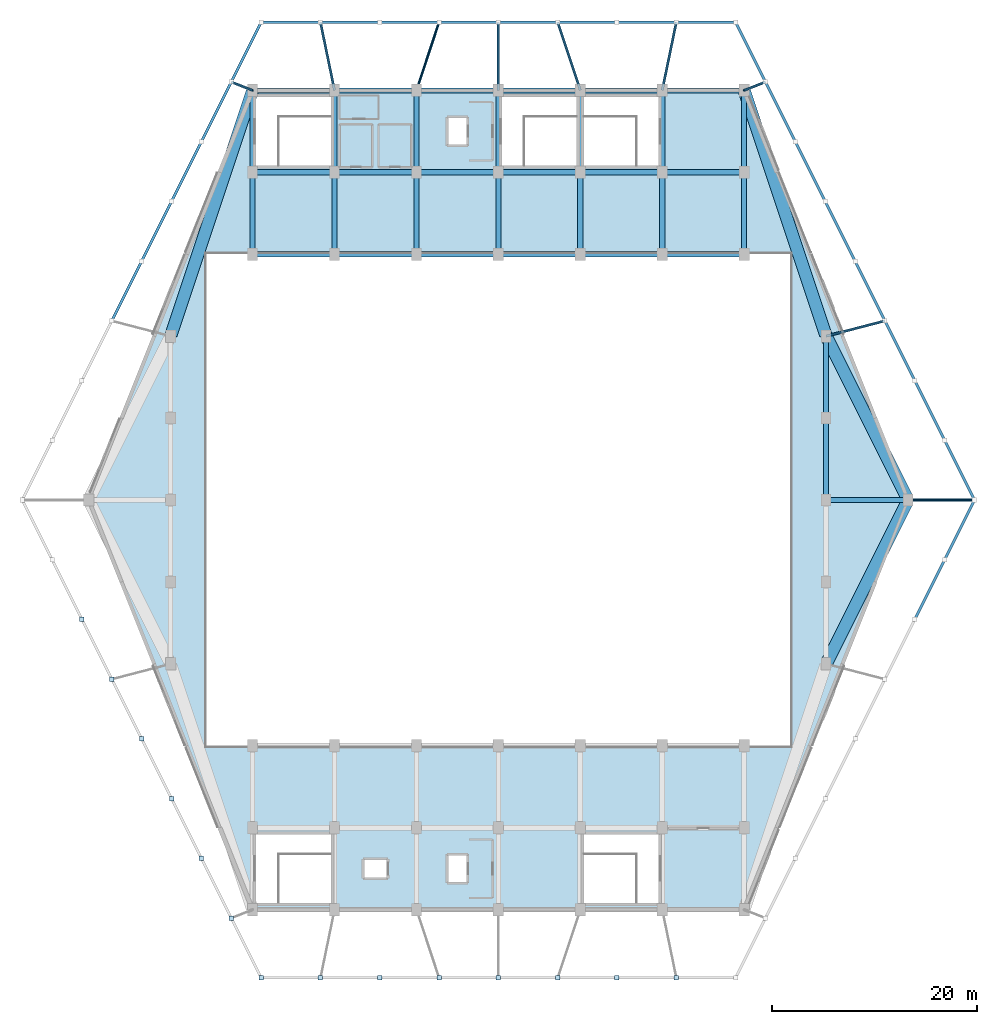
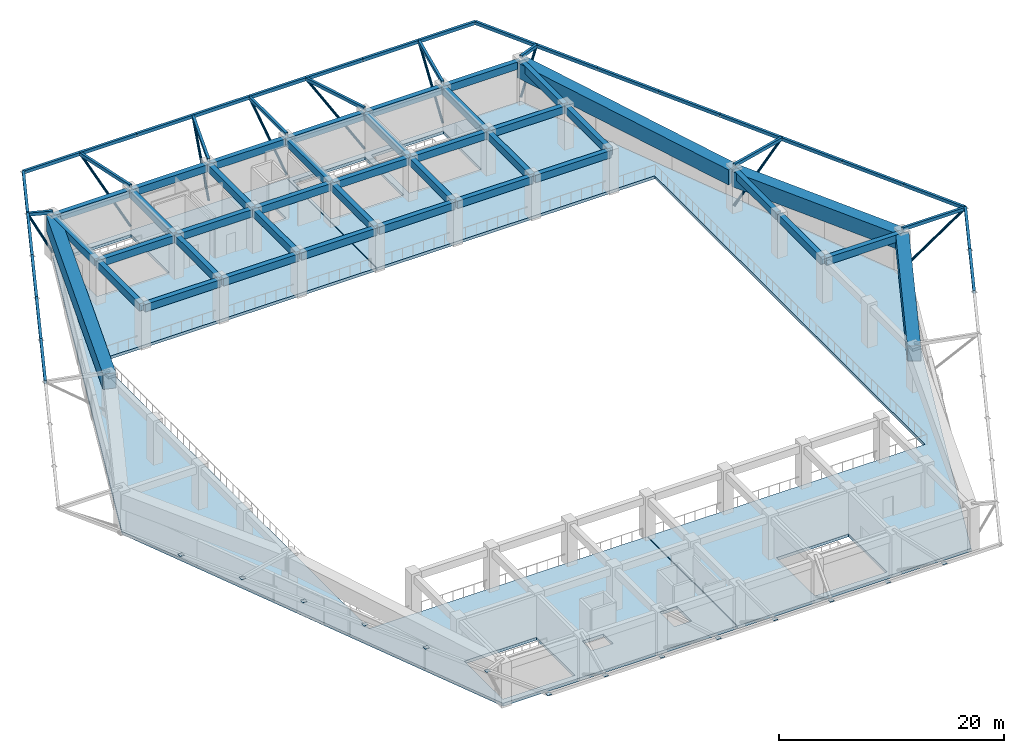
# One storey, part 2 of 9: 41 members, 39 beams, 14 plates, 2 slabs.
"""IFC4 building model written with IfcOpenShell, lengths in metres."""

from ifc_helpers import new_model, si_unit, direction, frame, origin, origin_2d, place, context, subcontext, project, spatial, polyline, rectangle, hollow_rectangle, hollow_circle, outline, extrude, material, layer, layer_set, material_profile, profile_set, type_object, element, save


model = new_model("IFC4")

# Units and contexts
model_context = context("Model", 3, precision=1e-05, world=origin(), true_north=direction((0.0, 1.0)))
body_context = subcontext(model_context, "Body", "Model", "MODEL_VIEW")
ifc_project = project(units=[si_unit("LENGTHUNIT", "METRE"), si_unit("AREAUNIT", "SQUARE_METRE"), si_unit("VOLUMEUNIT", "CUBIC_METRE"), si_unit("PLANEANGLEUNIT", "RADIAN"), si_unit("MASSUNIT", "GRAM", prefix="KILO")], contexts=[model_context])

# Site, building, storey
site_placement = place(None, origin())
site = spatial("IfcSite", under=ifc_project, at=site_placement, CompositionType="ELEMENT")
building_placement = place(site_placement, origin())
building = spatial("IfcBuilding", under=site, at=building_placement, Name="Tazarka Park Arena", CompositionType="ELEMENT")
storey_placement = place(building_placement, frame((0.0, 0.0, 24.60009765625)))
storey = spatial("IfcBuildingStorey", under=building, at=storey_placement, Name="L05", CompositionType="ELEMENT", Elevation=24.60009765625)

# Beams
ifc_material_1 = material(Name="Concrete C40/50", Category="concrete")
ifc_material_profile_1 = material_profile(ifc_material_1, rectangle(XDim=0.5, YDim=0.800048828125, at=origin_2d()), Name="Concrete C40/50")
ifc_profile_set_1 = profile_set([ifc_material_profile_1], Name="Concrete C40/50")
beam_type_1 = type_object("IfcBeamType", Name="BM-B-02", PredefinedType="BEAM", material=ifc_profile_set_1)
for number, where, z_axis, x_axis, name in (
    (1, (64.1201171875, 96.0, 4.1298828125), (1.0, 0.0, 0.0), (0.0, 1.0, 0.0), "GXM-L05-08-12"),
    (2, (72.0, 88.1201171875, 4.1298828125), (0.0, 1.0, 0.0), (-1.0, 0.0, 0.0), "GYM-L05-09-11"),
    (3, (72.1201171875, 96.0, 4.1298828125), (1.0, 0.0, 0.0), (0.0, 1.0, 0.0), "GXM-L05-09-12"),
    (4, (72.0, 96.1201171875, 4.1298828125), (0.0, 1.0, 0.0), (-1.0, 0.0, 0.0), "GYM-L05-09-12"),
    (5, (80.0, 88.1201171875, 4.1298828125), (0.0, 1.0, 0.0), (-1.0, 0.0, 0.0), "GYM-L05-10-11"),
    (6, (80.1201171875, 96.0, 4.1298828125), (1.0, 0.0, 0.0), (0.0, 1.0, 0.0), "GXM-L05-10-12"),
    (7, (80.0, 96.1201171875, 4.1298828125), (0.0, 1.0, 0.0), (-1.0, 0.0, 0.0), "GYM-L05-10-12"),
    (8, (88.0, 88.1201171875, 4.1298828125), (0.0, 1.0, 0.0), (-1.0, 0.0, 0.0), "GYM-L05-11-11"),
    (9, (88.1201171875, 96.0, 4.1298828125), (1.0, 0.0, 0.0), (0.0, 1.0, 0.0), "GXM-L05-11-12"),
    (10, (88.0, 96.1201171875, 4.1298828125), (0.0, 1.0, 0.0), (-1.0, 0.0, 0.0), "GYM-L05-11-12"),
    (11, (96.0, 88.1201171875, 4.1298828125), (0.0, 1.0, 0.0), (-1.0, 0.0, 0.0), "GYM-L05-12-11"),
    (12, (96.1201171875, 96.0, 4.1298828125), (1.0, 0.0, 0.0), (0.0, 1.0, 0.0), "GXM-L05-12-12"),
    (13, (96.0, 96.1201171875, 4.1298828125), (0.0, 1.0, 0.0), (-1.0, 0.0, 0.0), "GYM-L05-12-12"),
    (14, (104.0, 88.1201171875, 4.1298828125), (0.0, 1.0, 0.0), (-1.0, 0.0, 0.0), "GYM-L05-13-11"),
    (15, (104.1201171875, 96.0, 4.1298828125), (1.0, 0.0, 0.0), (0.0, 1.0, 0.0), "GXM-L05-13-12"),
    (16, (104.0, 96.1201171875, 4.1298828125), (0.0, 1.0, 0.0), (-1.0, 0.0, 0.0), "GYM-L05-13-12"),
    (17, (120.1201171875, 64.0, 4.1298828125), (1.0, 0.0, 0.0), (0.0, 1.0, 0.0), "GXM-L05-15-08"),
):
    element("IfcBeam", number, at=place(storey_placement, frame(where, z_axis=z_axis, x_axis=x_axis)), inside=storey, type_object=beam_type_1, Name=name, PredefinedType="BEAM", context=body_context, shape_type="SweptSolid", body=[
        extrude(rectangle(XDim=0.5, YDim=0.800048828125, at=origin_2d()), origin(), (0.0, 0.0, 1.0), 7.759765625),
    ])
ifc_material_2 = material(Name="Concrete C50/60", Category="concrete")
ifc_material_profile_2 = material_profile(ifc_material_2, rectangle(XDim=1.199951171875, YDim=1.64990234375, at=origin_2d()), Name="Concrete C50/60")
ifc_profile_set_2 = profile_set([ifc_material_profile_2], Name="Concrete C50/60")
beam_type_2 = type_object("IfcBeamType", Name="BM-RNG-02", PredefinedType="BEAM", material=ifc_profile_set_2)
for number, where, z_axis, x_axis, name in (
    (18, (120.0537109375, 48.107421875, 3.704833984375), (0.4472135955, 0.894427191, 0.0), (-0.894427191, 0.4472135955, 0.0), "RING BEAM RNG-02-L05-08"),
    (19, (127.9462890625, 64.107421875, 3.704833984375), (-0.4472135955, 0.894427191, 0.0), (-0.894427191, -0.4472135955, 0.0), "RING BEAM RNG-02-L05-09"),
):
    element("IfcBeam", number, at=place(storey_placement, frame(where, z_axis=z_axis, x_axis=x_axis)), inside=storey, type_object=beam_type_2, Name=name, PredefinedType="BEAM", context=body_context, shape_type="SweptSolid", body=[
        extrude(rectangle(XDim=1.199951171875, YDim=1.64990234375, at=origin_2d()), origin(), (0.0, 0.0, 1.0), 17.6484375),
    ])
for number, where, z_axis, x_axis, name in (
    (20, (119.962158203125, 80.11376953125, 3.704833984375), (-0.316233611724, 0.948681349461, 0.0), (-0.948681349461, -0.316233611724, 0.0), "RING BEAM RNG-02-L05-10"),
    (21, (63.962158203125, 103.88623046875, 3.704833984375), (-0.316233611724, -0.948681349461, 0.0), (0.948681349461, -0.316233611724, 0.0), "RING BEAM RNG-02-L05-17"),
):
    element("IfcBeam", number, at=place(storey_placement, frame(where, z_axis=z_axis, x_axis=x_axis)), inside=storey, type_object=beam_type_2, Name=name, PredefinedType="BEAM", context=body_context, shape_type="SweptSolid", body=[
        extrude(rectangle(XDim=1.199951171875, YDim=1.64990234375, at=origin_2d()), origin(), (0.0, 0.0, 1.0), 25.058349609375),
    ])
ifc_material_3 = material(Name="Concrete C40/50", Category="concrete")
ifc_material_profile_3 = material_profile(ifc_material_3, rectangle(XDim=0.5, YDim=0.800048828125, at=origin_2d()), Name="Concrete C40/50")
ifc_profile_set_3 = profile_set([ifc_material_profile_3], Name="Concrete C40/50")
beam_type_3 = type_object("IfcBeamType", Name="BM-SP-01", PredefinedType="SPANDREL", material=ifc_profile_set_3)
for number, where, z_axis, x_axis, name in (
    (22, (64.1201171875, 88.0, 4.1298828125), (1.0, 0.0, 0.0), (0.0, 1.0, 0.0), "GXM-L05-08-11"),
    (23, (64.0, 88.1201171875, 4.1298828125), (0.0, 1.0, 0.0), (-1.0, 0.0, 0.0), "GYM-L05-08-11"),
    (24, (64.0, 96.1201171875, 4.1298828125), (0.0, 1.0, 0.0), (-1.0, 0.0, 0.0), "GYM-L05-08-12"),
    (25, (64.1201171875, 104.0, 4.1298828125), (1.0, 0.0, 0.0), (0.0, 1.0, 0.0), "GXM-L05-08-13"),
    (26, (72.1201171875, 88.0, 4.1298828125), (1.0, 0.0, 0.0), (0.0, 1.0, 0.0), "GXM-L05-09-11"),
    (27, (72.1201171875, 104.0, 4.1298828125), (1.0, 0.0, 0.0), (0.0, 1.0, 0.0), "GXM-L05-09-13"),
    (28, (80.1201171875, 88.0, 4.1298828125), (1.0, 0.0, 0.0), (0.0, 1.0, 0.0), "GXM-L05-10-11"),
    (29, (80.1201171875, 104.0, 4.1298828125), (1.0, 0.0, 0.0), (0.0, 1.0, 0.0), "GXM-L05-10-13"),
    (30, (88.1201171875, 88.0, 4.1298828125), (1.0, 0.0, 0.0), (0.0, 1.0, 0.0), "GXM-L05-11-11"),
    (31, (88.1201171875, 104.0, 4.1298828125), (1.0, 0.0, 0.0), (0.0, 1.0, 0.0), "GXM-L05-11-13"),
    (32, (96.1201171875, 88.0, 4.1298828125), (1.0, 0.0, 0.0), (0.0, 1.0, 0.0), "GXM-L05-12-11"),
    (33, (96.1201171875, 104.0, 4.1298828125), (1.0, 0.0, 0.0), (0.0, 1.0, 0.0), "GXM-L05-12-13"),
    (34, (104.1201171875, 88.0, 4.1298828125), (1.0, 0.0, 0.0), (0.0, 1.0, 0.0), "GXM-L05-13-11"),
    (35, (104.1201171875, 104.0, 4.1298828125), (1.0, 0.0, 0.0), (0.0, 1.0, 0.0), "GXM-L05-13-13"),
    (36, (112.0, 88.1201171875, 4.1298828125), (0.0, 1.0, 0.0), (-1.0, 0.0, 0.0), "GYM-L05-14-11"),
    (37, (112.0, 96.1201171875, 4.1298828125), (0.0, 1.0, 0.0), (-1.0, 0.0, 0.0), "GYM-L05-14-12"),
    (38, (120.0, 64.1201171875, 4.1298828125), (0.0, 1.0, 0.0), (-1.0, 0.0, 0.0), "GYM-L05-15-08"),
    (39, (120.0, 72.1201171875, 4.1298828125), (0.0, 1.0, 0.0), (-1.0, 0.0, 0.0), "GYM-L05-15-09"),
):
    element("IfcBeam", number, at=place(storey_placement, frame(where, z_axis=z_axis, x_axis=x_axis)), inside=storey, type_object=beam_type_3, Name=name, PredefinedType="SPANDREL", context=body_context, shape_type="SweptSolid", body=[
        extrude(rectangle(XDim=0.5, YDim=0.800048828125, at=origin_2d()), origin(), (0.0, 0.0, 1.0), 7.759765625),
    ])

# Members
ifc_material_4 = material(Name="Steel S355", Category="steel")
ifc_material_profile_4 = material_profile(ifc_material_4, hollow_circle(Radius=0.122314453125, WallThickness=0.012451171875, at=origin_2d()), Name="Steel S355")
ifc_profile_set_4 = profile_set([ifc_material_profile_4], Name="Steel S355")
member_type_1 = type_object("IfcMemberType", Name="MEM-BR-05", PredefinedType="BRACE", material=ifc_profile_set_4)
member_1_placement = place(storey_placement, frame((128.0, 64.0, 0.39990234375), z_axis=(0.828860604179, 0.0, 0.559455180367), x_axis=(0.0, 1.0, 0.0)))
element("IfcMember", 40, at=member_1_placement, inside=storey, type_object=member_type_1, Name="FTK-08", PredefinedType="BRACE", context=body_context, shape_type="SweptSolid", body=[
    extrude(hollow_circle(Radius=0.122314453125, WallThickness=0.012451171875, at=origin_2d()), origin(), (0.0, 0.0, 1.0), 7.828857421875),
])
member_2_placement = place(storey_placement, frame((120.0, 80.0, 0.39990234375), z_axis=(0.778650485414, 0.202467002627, 0.593894379845), x_axis=(-0.251654664133, 0.967817095334, 0.0)))
element("IfcMember", 41, at=member_2_placement, inside=storey, type_object=member_type_1, Name="FTK-09", PredefinedType="BRACE", context=body_context, shape_type="SweptSolid", body=[
    extrude(hollow_circle(Radius=0.122314453125, WallThickness=0.012451171875, at=origin_2d()), origin(), (0.0, 0.0, 1.0), 7.374755859375),
])
member_3_placement = place(storey_placement, frame((112.0, 104.0, 0.39990234375), z_axis=(0.423067237342, 0.166228037862, 0.890720131195), x_axis=(-0.365696304719, 0.930734233127, 0.0)))
element("IfcMember", 42, at=member_3_placement, inside=storey, type_object=member_type_1, Name="FTK-10", PredefinedType="BRACE", context=body_context, shape_type="SweptSolid", body=[
    extrude(hollow_circle(Radius=0.122314453125, WallThickness=0.012451171875, at=origin_2d()), origin(), (0.0, 0.0, 1.0), 4.917236328125),
])
member_4_placement = place(storey_placement, frame((104.0, 104.0, 0.39990234375), z_axis=(0.170006896671, 0.822928869006, 0.54211228693), x_axis=(-0.979320406863, 0.2023154485, 0.0)))
element("IfcMember", 43, at=member_4_placement, inside=storey, type_object=member_type_1, Name="FTK-11", PredefinedType="BRACE", context=body_context, shape_type="SweptSolid", body=[
    extrude(hollow_circle(Radius=0.122314453125, WallThickness=0.012451171875, at=origin_2d()), origin(), (0.0, 0.0, 1.0), 8.079345703125),
])
member_5_placement = place(storey_placement, frame((96.0, 104.0, 0.39990234375), z_axis=(-0.2673250352, 0.804693565117, 0.530099605559), x_axis=(-0.949003407996, -0.315265811043, 0.0)))
element("IfcMember", 44, at=member_5_placement, inside=storey, type_object=member_type_1, Name="FTK-12", PredefinedType="BRACE", context=body_context, shape_type="SweptSolid", body=[
    extrude(hollow_circle(Radius=0.122314453125, WallThickness=0.012451171875, at=origin_2d()), origin(), (0.0, 0.0, 1.0), 8.262451171875),
])
member_6_placement = place(storey_placement, frame((88.0, 104.0, 0.39990234375), z_axis=(0.0, 0.835085312319, 0.550120460581), x_axis=(-1.0, 0.0, 0.0)))
element("IfcMember", 45, at=member_6_placement, inside=storey, type_object=member_type_1, Name="FTK-13", PredefinedType="BRACE", context=body_context, shape_type="SweptSolid", body=[
    extrude(hollow_circle(Radius=0.122314453125, WallThickness=0.012451171875, at=origin_2d()), origin(), (0.0, 0.0, 1.0), 7.961669921875),
])
member_7_placement = place(storey_placement, frame((80.0, 104.0, 0.39990234375), z_axis=(0.2673250352, 0.804693565117, 0.530099605559), x_axis=(-0.949003407996, 0.315265811043, 0.0)))
element("IfcMember", 46, at=member_7_placement, inside=storey, type_object=member_type_1, Name="FTK-14", PredefinedType="BRACE", context=body_context, shape_type="SweptSolid", body=[
    extrude(hollow_circle(Radius=0.122314453125, WallThickness=0.012451171875, at=origin_2d()), origin(), (0.0, 0.0, 1.0), 8.262451171875),
])
member_8_placement = place(storey_placement, frame((72.0, 104.0, 0.39990234375), z_axis=(-0.170006896671, 0.822928869006, 0.54211228693), x_axis=(-0.979320406863, -0.2023154485, 0.0)))
element("IfcMember", 47, at=member_8_placement, inside=storey, type_object=member_type_1, Name="FTK-15", PredefinedType="BRACE", context=body_context, shape_type="SweptSolid", body=[
    extrude(hollow_circle(Radius=0.122314453125, WallThickness=0.012451171875, at=origin_2d()), origin(), (0.0, 0.0, 1.0), 8.079345703125),
])
member_9_placement = place(storey_placement, frame((64.0, 104.0, 0.39990234375), z_axis=(-0.423067237342, 0.166228037862, 0.890720131195), x_axis=(-0.365696304719, -0.930734233127, 0.0)))
element("IfcMember", 48, at=member_9_placement, inside=storey, type_object=member_type_1, Name="FTK-16", PredefinedType="BRACE", context=body_context, shape_type="SweptSolid", body=[
    extrude(hollow_circle(Radius=0.122314453125, WallThickness=0.012451171875, at=origin_2d()), origin(), (0.0, 0.0, 1.0), 4.917236328125),
])
ifc_material_5 = material(Name="Steel S460", Category="steel")
ifc_material_profile_5 = material_profile(ifc_material_5, hollow_rectangle(XDim=0.25, YDim=0.35009765625, WallThickness=0.012451171875, at=origin_2d()), Name="Steel S460")
ifc_profile_set_5 = profile_set([ifc_material_profile_5], Name="Steel S460")
member_type_2 = type_object("IfcMemberType", Name="MEM-SR-04", PredefinedType="STRUT", material=ifc_profile_set_5)
for number, where, z_axis, x_axis, name in (
    (49, (128.657958984375, 52.337890625, 4.77978515625), (0.4472135955, 0.894427191, 0.0), (-0.894427191, 0.4472135955, 0.0), "GMT-14"),
    (50, (131.573486328125, 58.1689453125, 4.77978515625), (0.4472135955, 0.894427191, 0.0), (-0.894427191, 0.4472135955, 0.0), "GMT-15"),
    (51, (134.489013671875, 64.0, 4.77978515625), (-0.4472135955, 0.894427191, 0.0), (-0.894427191, -0.4472135955, 0.0), "GMT-16"),
    (52, (131.573486328125, 69.8310546875, 4.77978515625), (-0.4472135955, 0.894427191, 0.0), (-0.894427191, -0.4472135955, 0.0), "GMT-17"),
    (53, (128.657958984375, 75.662109375, 4.77978515625), (-0.4472135955, 0.894427191, 0.0), (-0.894427191, -0.4472135955, 0.0), "GMT-18"),
    (54, (125.742431640625, 81.4931640625, 4.77978515625), (-0.4472135955, 0.894427191, 0.0), (-0.894427191, -0.4472135955, 0.0), "GMT-19"),
):
    element("IfcMember", number, at=place(storey_placement, frame(where, z_axis=z_axis, x_axis=x_axis)), inside=storey, type_object=member_type_2, Name=name, PredefinedType="STRUT", context=body_context, shape_type="SweptSolid", body=[
        extrude(hollow_rectangle(XDim=0.25, YDim=0.35009765625, WallThickness=0.012451171875, at=origin_2d()), origin(), (0.0, 0.0, 1.0), 6.519287109375),
    ])
member_10_placement = place(storey_placement, frame((122.826904296875, 87.32421875, 4.77978515625), z_axis=(-0.447198616418, 0.894434680384, 0.0), x_axis=(-0.894434680384, -0.447198616418, 0.0)))
element("IfcMember", 55, at=member_10_placement, inside=storey, type_object=member_type_2, Name="GMT-20", PredefinedType="STRUT", context=body_context, shape_type="SweptSolid", body=[
    extrude(hollow_rectangle(XDim=0.25, YDim=0.35009765625, WallThickness=0.012451171875, at=origin_2d()), origin(), (0.0, 0.0, 1.0), 6.51953125),
])
member_11_placement = place(storey_placement, frame((119.911376953125, 93.155517578125, 4.77978515625), z_axis=(-0.4472135955, 0.894427191, 0.0), x_axis=(-0.894427191, -0.4472135955, 0.0)))
element("IfcMember", 56, at=member_11_placement, inside=storey, type_object=member_type_2, Name="GMT-21", PredefinedType="STRUT", context=body_context, shape_type="SweptSolid", body=[
    extrude(hollow_rectangle(XDim=0.25, YDim=0.35009765625, WallThickness=0.012451171875, at=origin_2d()), origin(), (0.0, 0.0, 1.0), 6.519287109375),
])
member_12_placement = place(storey_placement, frame((116.995849609375, 98.986572265625, 4.77978515625), z_axis=(-0.44722857546, 0.894419700863, 0.0), x_axis=(-0.894419700863, -0.44722857546, 0.0)))
element("IfcMember", 57, at=member_12_placement, inside=storey, type_object=member_type_2, Name="GMT-22", PredefinedType="STRUT", context=body_context, shape_type="SweptSolid", body=[
    extrude(hollow_rectangle(XDim=0.25, YDim=0.35009765625, WallThickness=0.012451171875, at=origin_2d()), origin(), (0.0, 0.0, 1.0), 6.51904296875),
])
member_13_placement = place(storey_placement, frame((114.080322265625, 104.8173828125, 4.77978515625), z_axis=(-0.447198616418, 0.894434680384, 0.0), x_axis=(-0.894434680384, -0.447198616418, 0.0)))
element("IfcMember", 58, at=member_13_placement, inside=storey, type_object=member_type_2, Name="GMT-23", PredefinedType="STRUT", context=body_context, shape_type="SweptSolid", body=[
    extrude(hollow_rectangle(XDim=0.25, YDim=0.35009765625, WallThickness=0.012451171875, at=origin_2d()), origin(), (0.0, 0.0, 1.0), 6.51953125),
])
member_14_placement = place(storey_placement, frame((111.164794921875, 110.648681640625, 4.77978515625), z_axis=(-1.0, 0.0, 0.0), x_axis=(0.0, -1.0, 0.0)))
element("IfcMember", 59, at=member_14_placement, inside=storey, type_object=member_type_2, Name="GMT-24", PredefinedType="STRUT", context=body_context, shape_type="SweptSolid", body=[
    extrude(hollow_rectangle(XDim=0.25, YDim=0.35009765625, WallThickness=0.012451171875, at=origin_2d()), origin(), (0.0, 0.0, 1.0), 5.791259765625),
])
member_15_placement = place(storey_placement, frame((105.37353515625, 110.648681640625, 4.77978515625), z_axis=(-1.0, 0.0, 0.0), x_axis=(0.0, -1.0, 0.0)))
element("IfcMember", 60, at=member_15_placement, inside=storey, type_object=member_type_2, Name="GMT-25", PredefinedType="STRUT", context=body_context, shape_type="SweptSolid", body=[
    extrude(hollow_rectangle(XDim=0.25, YDim=0.35009765625, WallThickness=0.012451171875, at=origin_2d()), origin(), (0.0, 0.0, 1.0), 5.791015625),
])
for number, where, z_axis, x_axis, name in (
    (61, (99.58251953125, 110.648681640625, 4.77978515625), (-1.0, 0.0, 0.0), (0.0, -1.0, 0.0), "GMT-26"),
    (62, (93.791259765625, 110.648681640625, 4.77978515625), (-1.0, 0.0, 0.0), (0.0, -1.0, 0.0), "GMT-27"),
    (63, (88.0, 110.648681640625, 4.77978515625), (-1.0, 0.0, 0.0), (0.0, -1.0, 0.0), "GMT-28"),
    (64, (82.208740234375, 110.648681640625, 4.77978515625), (-1.0, 0.0, 0.0), (0.0, -1.0, 0.0), "GMT-29"),
):
    element("IfcMember", number, at=place(storey_placement, frame(where, z_axis=z_axis, x_axis=x_axis)), inside=storey, type_object=member_type_2, Name=name, PredefinedType="STRUT", context=body_context, shape_type="SweptSolid", body=[
        extrude(hollow_rectangle(XDim=0.25, YDim=0.35009765625, WallThickness=0.012451171875, at=origin_2d()), origin(), (0.0, 0.0, 1.0), 5.791259765625),
    ])
member_16_placement = place(storey_placement, frame((76.41748046875, 110.648681640625, 4.77978515625), z_axis=(-1.0, 0.0, 0.0), x_axis=(0.0, -1.0, 0.0)))
element("IfcMember", 65, at=member_16_placement, inside=storey, type_object=member_type_2, Name="GMT-30", PredefinedType="STRUT", context=body_context, shape_type="SweptSolid", body=[
    extrude(hollow_rectangle(XDim=0.25, YDim=0.35009765625, WallThickness=0.012451171875, at=origin_2d()), origin(), (0.0, 0.0, 1.0), 5.791015625),
])
member_17_placement = place(storey_placement, frame((70.62646484375, 110.648681640625, 4.77978515625), z_axis=(-1.0, 0.0, 0.0), x_axis=(0.0, -1.0, 0.0)))
element("IfcMember", 66, at=member_17_placement, inside=storey, type_object=member_type_2, Name="GMT-31", PredefinedType="STRUT", context=body_context, shape_type="SweptSolid", body=[
    extrude(hollow_rectangle(XDim=0.25, YDim=0.35009765625, WallThickness=0.012451171875, at=origin_2d()), origin(), (0.0, 0.0, 1.0), 5.791259765625),
])
member_18_placement = place(storey_placement, frame((64.835205078125, 110.648681640625, 4.77978515625), z_axis=(-0.447198616418, -0.894434680384, 0.0), x_axis=(0.894434680384, -0.447198616418, 0.0)))
element("IfcMember", 67, at=member_18_placement, inside=storey, type_object=member_type_2, Name="GMT-32", PredefinedType="STRUT", context=body_context, shape_type="SweptSolid", body=[
    extrude(hollow_rectangle(XDim=0.25, YDim=0.35009765625, WallThickness=0.012451171875, at=origin_2d()), origin(), (0.0, 0.0, 1.0), 6.51953125),
])
member_19_placement = place(storey_placement, frame((61.919677734375, 104.8173828125, 4.77978515625), z_axis=(-0.44722857546, -0.894419700863, 0.0), x_axis=(0.894419700863, -0.44722857546, 0.0)))
element("IfcMember", 68, at=member_19_placement, inside=storey, type_object=member_type_2, Name="GMT-33", PredefinedType="STRUT", context=body_context, shape_type="SweptSolid", body=[
    extrude(hollow_rectangle(XDim=0.25, YDim=0.35009765625, WallThickness=0.012451171875, at=origin_2d()), origin(), (0.0, 0.0, 1.0), 6.51904296875),
])
member_20_placement = place(storey_placement, frame((59.004150390625, 98.986572265625, 4.77978515625), z_axis=(-0.4472135955, -0.894427191, 0.0), x_axis=(0.894427191, -0.4472135955, 0.0)))
element("IfcMember", 69, at=member_20_placement, inside=storey, type_object=member_type_2, Name="GMT-34", PredefinedType="STRUT", context=body_context, shape_type="SweptSolid", body=[
    extrude(hollow_rectangle(XDim=0.25, YDim=0.35009765625, WallThickness=0.012451171875, at=origin_2d()), origin(), (0.0, 0.0, 1.0), 6.519287109375),
])
member_21_placement = place(storey_placement, frame((56.088623046875, 93.155517578125, 4.77978515625), z_axis=(-0.447198616418, -0.894434680384, 0.0), x_axis=(0.894434680384, -0.447198616418, 0.0)))
element("IfcMember", 70, at=member_21_placement, inside=storey, type_object=member_type_2, Name="GMT-35", PredefinedType="STRUT", context=body_context, shape_type="SweptSolid", body=[
    extrude(hollow_rectangle(XDim=0.25, YDim=0.35009765625, WallThickness=0.012451171875, at=origin_2d()), origin(), (0.0, 0.0, 1.0), 6.51953125),
])
member_22_placement = place(storey_placement, frame((53.173095703125, 87.32421875, 4.77978515625), z_axis=(-0.4472135955, -0.894427191, 0.0), x_axis=(0.894427191, -0.4472135955, 0.0)))
element("IfcMember", 71, at=member_22_placement, inside=storey, type_object=member_type_2, Name="GMT-36", PredefinedType="STRUT", context=body_context, shape_type="SweptSolid", body=[
    extrude(hollow_rectangle(XDim=0.25, YDim=0.35009765625, WallThickness=0.012451171875, at=origin_2d()), origin(), (0.0, 0.0, 1.0), 6.519287109375),
])
member_23_placement = place(storey_placement, frame((128.0, 64.0, 4.77978515625), z_axis=(1.0, 0.0, 0.0), x_axis=(0.0, 1.0, 0.0)))
element("IfcMember", 72, at=member_23_placement, inside=storey, type_object=member_type_2, Name="FTT-08", PredefinedType="STRUT", context=body_context, shape_type="SweptSolid", body=[
    extrude(hollow_rectangle(XDim=0.25, YDim=0.35009765625, WallThickness=0.012451171875, at=origin_2d()), origin(), (0.0, 0.0, 1.0), 6.489013671875),
])
member_24_placement = place(storey_placement, frame((120.0, 80.0, 4.77978515625), z_axis=(0.967817095334, 0.251654664133, 0.0), x_axis=(-0.251654664133, 0.967817095334, 0.0)))
element("IfcMember", 73, at=member_24_placement, inside=storey, type_object=member_type_2, Name="FTT-09", PredefinedType="STRUT", context=body_context, shape_type="SweptSolid", body=[
    extrude(hollow_rectangle(XDim=0.25, YDim=0.35009765625, WallThickness=0.012451171875, at=origin_2d()), origin(), (0.0, 0.0, 1.0), 5.933349609375),
])
member_25_placement = place(storey_placement, frame((112.0, 104.0, 4.77978515625), z_axis=(0.930734233127, 0.365696304719, 0.0), x_axis=(-0.365696304719, 0.930734233127, 0.0)))
element("IfcMember", 74, at=member_25_placement, inside=storey, type_object=member_type_2, Name="FTT-10", PredefinedType="STRUT", context=body_context, shape_type="SweptSolid", body=[
    extrude(hollow_rectangle(XDim=0.25, YDim=0.35009765625, WallThickness=0.012451171875, at=origin_2d()), origin(), (0.0, 0.0, 1.0), 2.235107421875),
])
member_26_placement = place(storey_placement, frame((104.0, 104.0, 4.77978515625), z_axis=(0.2023154485, 0.979320406863, 0.0), x_axis=(-0.979320406863, 0.2023154485, 0.0)))
element("IfcMember", 75, at=member_26_placement, inside=storey, type_object=member_type_2, Name="FTT-11", PredefinedType="STRUT", context=body_context, shape_type="SweptSolid", body=[
    extrude(hollow_rectangle(XDim=0.25, YDim=0.35009765625, WallThickness=0.012451171875, at=origin_2d()), origin(), (0.0, 0.0, 1.0), 6.7890625),
])
member_27_placement = place(storey_placement, frame((96.0, 104.0, 4.77978515625), z_axis=(-0.315265811043, 0.949003407996, 0.0), x_axis=(-0.949003407996, -0.315265811043, 0.0)))
element("IfcMember", 76, at=member_27_placement, inside=storey, type_object=member_type_2, Name="FTT-12", PredefinedType="STRUT", context=body_context, shape_type="SweptSolid", body=[
    extrude(hollow_rectangle(XDim=0.25, YDim=0.35009765625, WallThickness=0.012451171875, at=origin_2d()), origin(), (0.0, 0.0, 1.0), 7.005859375),
])
member_28_placement = place(storey_placement, frame((88.0, 104.0, 4.77978515625), z_axis=(0.0, 1.0, 0.0), x_axis=(-1.0, 0.0, 0.0)))
element("IfcMember", 77, at=member_28_placement, inside=storey, type_object=member_type_2, Name="FTT-13", PredefinedType="STRUT", context=body_context, shape_type="SweptSolid", body=[
    extrude(hollow_rectangle(XDim=0.25, YDim=0.35009765625, WallThickness=0.012451171875, at=origin_2d()), origin(), (0.0, 0.0, 1.0), 6.648681640625),
])
member_29_placement = place(storey_placement, frame((80.0, 104.0, 4.77978515625), z_axis=(0.315265811043, 0.949003407996, 0.0), x_axis=(-0.949003407996, 0.315265811043, 0.0)))
element("IfcMember", 78, at=member_29_placement, inside=storey, type_object=member_type_2, Name="FTT-14", PredefinedType="STRUT", context=body_context, shape_type="SweptSolid", body=[
    extrude(hollow_rectangle(XDim=0.25, YDim=0.35009765625, WallThickness=0.012451171875, at=origin_2d()), origin(), (0.0, 0.0, 1.0), 7.005859375),
])
member_30_placement = place(storey_placement, frame((72.0, 104.0, 4.77978515625), z_axis=(-0.2023154485, 0.979320406863, 0.0), x_axis=(-0.979320406863, -0.2023154485, 0.0)))
element("IfcMember", 79, at=member_30_placement, inside=storey, type_object=member_type_2, Name="FTT-15", PredefinedType="STRUT", context=body_context, shape_type="SweptSolid", body=[
    extrude(hollow_rectangle(XDim=0.25, YDim=0.35009765625, WallThickness=0.012451171875, at=origin_2d()), origin(), (0.0, 0.0, 1.0), 6.7890625),
])
member_31_placement = place(storey_placement, frame((64.0, 104.0, 4.77978515625), z_axis=(-0.930734233127, 0.365696304719, 0.0), x_axis=(-0.365696304719, -0.930734233127, 0.0)))
element("IfcMember", 80, at=member_31_placement, inside=storey, type_object=member_type_2, Name="FTT-16", PredefinedType="STRUT", context=body_context, shape_type="SweptSolid", body=[
    extrude(hollow_rectangle(XDim=0.25, YDim=0.35009765625, WallThickness=0.012451171875, at=origin_2d()), origin(), (0.0, 0.0, 1.0), 2.235107421875),
])

# Plates
ifc_material_6 = material(Name="Steel S460", Category="steel")
ifc_layer_1 = layer(ifc_material_6, 0.028076171875, Name="Steel S460")
ifc_layer_set_1 = layer_set([ifc_layer_1], Name="Steel S460")
plate_type = type_object("IfcPlateType", Name="PLT-PL-13", PredefinedType="USERDEFINED", material=ifc_layer_set_1)
for number, where, z_axis, x_axis, name in (
    (81, (64.835205078125, 17.351318359375, 4.765625), (0.0, 0.0, 1.0), (1.0, 0.0, 0.0), "GMP-T-00"),
    (82, (70.62646484375, 17.351318359375, 4.765625), (0.0, 0.0, 1.0), (1.0, 0.0, 0.0), "GMP-T-01"),
    (83, (76.41748046875, 17.351318359375, 4.765625), (0.0, 0.0, 1.0), (1.0, 0.0, 0.0), "GMP-T-02"),
    (84, (82.208740234375, 17.351318359375, 4.765625), (0.0, 0.0, 1.0), (1.0, 0.0, 0.0), "GMP-T-03"),
    (85, (88.0, 17.351318359375, 4.765625), (0.0, 0.0, 1.0), (1.0, 0.0, 0.0), "GMP-T-04"),
    (86, (93.791259765625, 17.351318359375, 4.765625), (0.0, 0.0, 1.0), (1.0, 0.0, 0.0), "GMP-T-05"),
    (87, (99.58251953125, 17.351318359375, 4.765625), (0.0, 0.0, 1.0), (1.0, 0.0, 0.0), "GMP-T-06"),
    (88, (105.37353515625, 17.351318359375, 4.765625), (0.0, 0.0, 1.0), (1.0, 0.0, 0.0), "GMP-T-07"),
    (89, (47.342041015625, 52.337890625, 4.765625), (0.0, 0.0, 1.0), (1.0, 0.0, 0.0), "GMP-T-42"),
    (90, (50.257568359375, 46.5068359375, 4.765625), (0.0, 0.0, 1.0), (1.0, 0.0, 0.0), "GMP-T-43"),
    (91, (53.173095703125, 40.67578125, 4.765625), (0.0, 0.0, 1.0), (1.0, 0.0, 0.0), "GMP-T-44"),
    (92, (56.088623046875, 34.844482421875, 4.765625), (0.0, 0.0, 1.0), (1.0, 0.0, 0.0), "GMP-T-45"),
    (93, (59.004150390625, 29.013427734375, 4.765625), (0.0, 0.0, 1.0), (1.0, 0.0, 0.0), "GMP-T-46"),
    (94, (61.919677734375, 23.1826171875, 4.765625), (0.0, 0.0, 1.0), (1.0, 0.0, 0.0), "GMP-T-47"),
):
    element("IfcPlate", number, at=place(storey_placement, frame(where, z_axis=z_axis, x_axis=x_axis)), inside=storey, type_object=plate_type, Name=name, ObjectType="STIFFENER", PredefinedType="USERDEFINED", context=body_context, shape_type="SweptSolid", body=[
        extrude(rectangle(XDim=0.43994140625, YDim=0.43994140625, at=origin_2d()), origin(), (0.0, 0.0, 1.0), 0.028076171875),
    ])

# Slabs
ifc_material_7 = material(Name="Concrete C35/45", Category="concrete")
ifc_layer_2 = layer(ifc_material_7, 0.31494140625, Name="Concrete C35/45")
ifc_layer_set_2 = layer_set([ifc_layer_2], Name="Concrete C35/45")
slab_type = type_object("IfcSlabType", Name="SLB-SL-08", PredefinedType="FLOOR", material=ifc_layer_set_2)
slab_1_placement = place(storey_placement, frame((0.0, 0.0, -0.315185546875)))
element("IfcSlab", 95, at=slab_1_placement, inside=storey, type_object=slab_type, Name="FLR-L05-BW-01", PredefinedType="FLOOR", context=body_context, shape_type="SweptSolid", body=[
    extrude(outline(polyline([(59.5, 88.0), (59.5, 40.0), (87.964111328125, 39.99658203125), (87.96142578125, 24.002197265625), (63.998779296875, 24.009033203125), (48.002197265625, 64.0), (63.998779296875, 103.990966796875), (87.9765625, 103.984130859375), (87.964111328125, 88.00341796875), (59.5, 88.0)]), holes=[polyline([(83.110107421875, 26.710693359375), (84.889892578125, 26.7099609375), (84.889892578125, 29.2900390625), (83.110107421875, 29.2900390625), (83.110107421875, 26.710693359375)]), polyline([(83.110107421875, 98.710693359375), (84.889892578125, 98.7099609375), (84.889892578125, 101.2900390625), (83.110107421875, 101.2900390625), (83.110107421875, 98.710693359375)]), polyline([(74.909912109375, 27.16064453125), (77.090087890625, 27.159912109375), (77.090087890625, 28.840087890625), (74.909912109375, 28.840087890625), (74.909912109375, 27.16064453125)]), polyline([(64.300048828125, 24.6005859375), (71.699951171875, 24.60009765625), (71.699951171875, 31.39990234375), (64.300048828125, 31.39990234375), (64.300048828125, 24.6005859375)]), polyline([(64.300048828125, 96.6005859375), (71.699951171875, 96.60009765625), (71.699951171875, 103.39990234375), (64.300048828125, 103.39990234375), (64.300048828125, 96.6005859375)])]), origin(), (0.0, 0.0, 1.0), 0.315185546875),
])
slab_2_placement = place(storey_placement, frame((0.0, 0.0, -0.315185546875)))
element("IfcSlab", 96, at=slab_2_placement, inside=storey, type_object=slab_type, Name="FLR-L05-BE-01", PredefinedType="FLOOR", context=body_context, shape_type="SweptSolid", body=[
    extrude(outline(polyline([(111.979736328125, 104.0), (127.99658203125, 63.99169921875), (112.001220703125, 24.009033203125), (88.041259765625, 24.001220703125), (88.035888671875, 39.99658203125), (116.5, 40.0), (116.5, 87.999267578125), (88.035888671875, 88.00341796875), (88.021240234375, 103.978759765625), (111.979736328125, 104.0)]), holes=[polyline([(96.300048828125, 24.6005859375), (103.699951171875, 24.60009765625), (103.699951171875, 31.39990234375), (96.300048828125, 31.39990234375), (96.300048828125, 24.6005859375)]), polyline([(96.300048828125, 96.6005859375), (103.699951171875, 96.60009765625), (103.699951171875, 103.39990234375), (96.300048828125, 103.39990234375), (96.300048828125, 96.6005859375)]), polyline([(88.300048828125, 96.6005859375), (95.699951171875, 96.60009765625), (95.699951171875, 103.39990234375), (88.300048828125, 103.39990234375), (88.300048828125, 96.6005859375)])]), origin(), (0.0, 0.0, 1.0), 0.315185546875),
])

save(model, "model.ifc")
